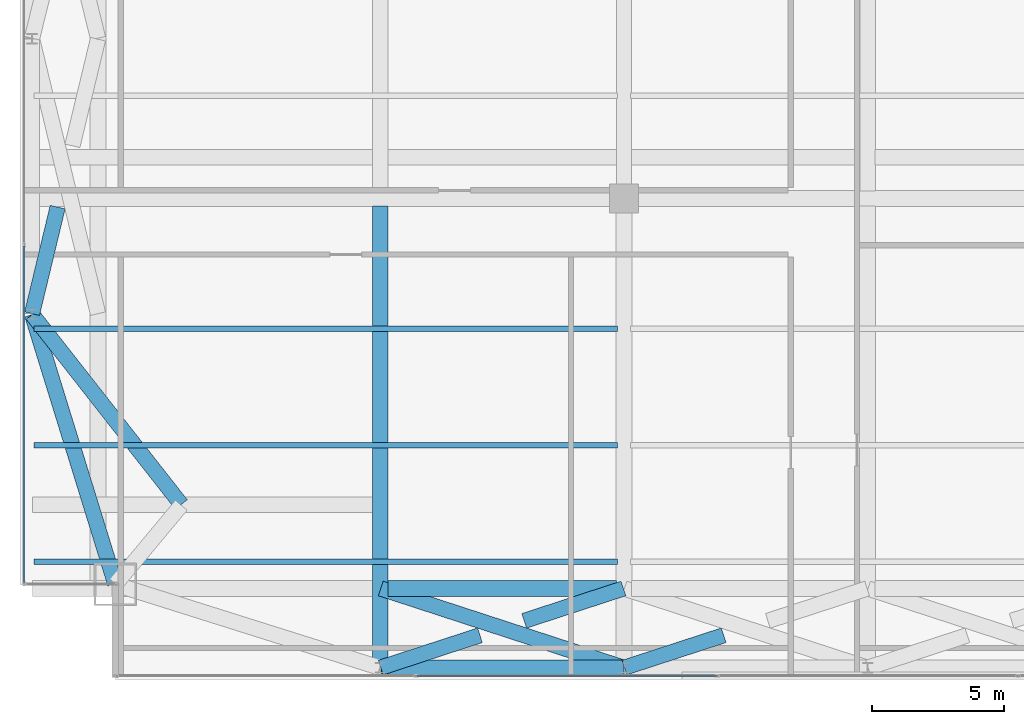
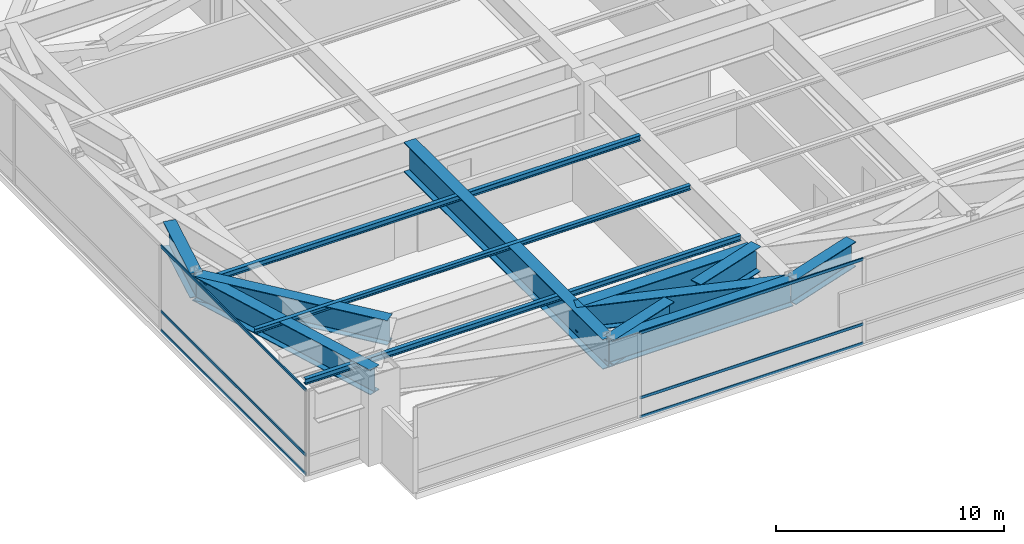
# One storey, part 5 of 30: 13 beams, 6 members, 2 elements without a shape of their own.
"""IFC4 building model written with IfcOpenShell, lengths in metres."""

from ifc_helpers import new_model, si_unit, direction, frame, origin, origin_2d, place, context, subcontext, project, spatial, hollow_rectangle, i_section, extrude, source, transform, mapped, material, layer, layer_set, material_profile, profile_set, type_object, type_shapes, element, aggregate, save


model = new_model("IFC4")

# Units and contexts
model_context = context("Model", 3, precision=1e-05, world=origin(), true_north=direction((0.0, 1.0)))
body_context = subcontext(model_context, "Body", "Model", "MODEL_VIEW")
ifc_project = project(units=[si_unit("LENGTHUNIT", "METRE"), si_unit("AREAUNIT", "SQUARE_METRE"), si_unit("VOLUMEUNIT", "CUBIC_METRE"), si_unit("PLANEANGLEUNIT", "RADIAN"), si_unit("MASSUNIT", "GRAM", prefix="KILO")], contexts=[model_context])

# Site, building, storey
site_placement = place(None, origin())
site = spatial("IfcSite", under=ifc_project, at=site_placement, CompositionType="ELEMENT")
building_placement = place(site_placement, origin())
building = spatial("IfcBuilding", under=site, at=building_placement, Name="Varnel Quay Broadcast Tower", CompositionType="ELEMENT")
storey_placement = place(building_placement, frame((0.0, 0.0, 82.199951171875)))
storey = spatial("IfcBuildingStorey", under=building, at=storey_placement, Name="L19", CompositionType="ELEMENT", Elevation=82.199951171875)

# Beams
ifc_material_1 = material(Name="Structural Steel CSA G40.21 350WT", Category="steel")
ifc_material_profile_1 = material_profile(ifc_material_1, i_section(OverallWidth=0.580078125, OverallDepth=1.330078125, WebThickness=0.02197265625, FlangeThickness=0.0380859375, FilletRadius=0.02001953125, at=origin_2d()), Name="WWF1330X535")
ifc_profile_set_1 = profile_set([ifc_material_profile_1], Name="Structural Steel CSA G40.21 350WT")
beam_type_1 = type_object("IfcBeamType", Name="Girder_WWF1330X535", PredefinedType="BEAM", material=ifc_profile_set_1)
shared_shape_1 = source(origin(), body_context, "Body", "SweptSolid", [
    extrude(i_section(OverallWidth=0.580078125, OverallDepth=1.330078125, WebThickness=0.02197265625, FlangeThickness=0.0380859375, FilletRadius=0.02001953125, at=origin_2d()), origin(), (0.0, 0.0, 1.0), 10.635498046875),
])
beam_1_placement = place(storey_placement, frame((5.593994140625, 4.819091796875, 3.885009765625), z_axis=(-0.295069676324, 0.955475738108, 0.0), x_axis=(-0.955475738108, -0.295069676324, 0.0)))
element("IfcBeam", 1, at=beam_1_placement, inside=storey, type_object=beam_type_1, Name="L19 West Transfer Spine MC-SW-TC-W1", PredefinedType="BEAM", context=body_context, shape_type="MappedRepresentation", body=[
    mapped(shared_shape_1, transform((0.0, 0.0, 0.0), x_axis=(1.0, 0.0, 0.0), y_axis=(0.0, 1.0, 0.0), z_axis=(0.0, 0.0, 1.0), scale=1.0)),
])
shared_shape_2 = source(origin(), body_context, "Body", "SweptSolid", [
    extrude(i_section(OverallWidth=0.580078125, OverallDepth=1.330078125, WebThickness=0.02197265625, FlangeThickness=0.0380859375, FilletRadius=0.02001953125, at=origin_2d()), origin(), (0.0, 0.0, 1.0), 9.159912109375),
])
beam_2_placement = place(storey_placement, frame((15.6201171875, 1.64990234375, 3.885009765625), z_axis=(1.0, 0.0, 0.0), x_axis=(0.0, 1.0, 0.0)))
element("IfcBeam", 2, at=beam_2_placement, inside=storey, type_object=beam_type_1, Name="L19 Perimeter Transfer Spine TC-S1-TC-S2", PredefinedType="BEAM", context=body_context, shape_type="MappedRepresentation", body=[
    mapped(shared_shape_2, transform((0.0, 0.0, 0.0), x_axis=(1.0, 0.0, 0.0), y_axis=(0.0, 1.0, 0.0), z_axis=(0.0, 0.0, 1.0), scale=1.0)),
])
ifc_material_profile_2 = material_profile(ifc_material_1, i_section(OverallWidth=0.60009765625, OverallDepth=1.60009765625, WebThickness=0.02392578125, FlangeThickness=0.0419921875, FilletRadius=0.02197265625, at=origin_2d()), Name="WWF1600X620")
ifc_profile_set_2 = profile_set([ifc_material_profile_2], Name="Structural Steel CSA G40.21 350WT")
beam_type_2 = type_object("IfcBeamType", Name="Girder_WWF1600X620", PredefinedType="BEAM", material=ifc_profile_set_2)
shared_shape_3 = source(origin(), body_context, "Body", "SweptSolid", [
    extrude(i_section(OverallWidth=0.60009765625, OverallDepth=1.60009765625, WebThickness=0.02392578125, FlangeThickness=0.0419921875, FilletRadius=0.02197265625, at=origin_2d()), origin(), (0.0, 0.0, 1.0), 17.4150390625),
])
beam_3_placement = place(storey_placement, frame((15.60009765625, 1.669921875, 3.75), z_axis=(0.0, 1.0, 0.0), x_axis=(-1.0, 0.0, 0.0)))
element("IfcBeam", 3, at=beam_3_placement, inside=storey, type_object=beam_type_2, Name="L19 N-S Transfer Girder 1A", PredefinedType="BEAM", context=body_context, shape_type="MappedRepresentation", body=[
    mapped(shared_shape_3, transform((0.0, 0.0, 0.0), x_axis=(1.0, 0.0, 0.0), y_axis=(0.0, 1.0, 0.0), z_axis=(0.0, 0.0, 1.0), scale=1.0)),
])
shared_shape_4 = source(origin(), body_context, "Body", "SweptSolid", [
    extrude(i_section(OverallWidth=0.60009765625, OverallDepth=1.60009765625, WebThickness=0.02392578125, FlangeThickness=0.0419921875, FilletRadius=0.02197265625, at=origin_2d()), origin(), (0.0, 0.0, 1.0), 8.6298828125),
])
type_shapes(beam_type_2, [shared_shape_3, shared_shape_4])
beam_4_placement = place(storey_placement, frame((15.885009765625, 4.64990234375, 3.75), z_axis=(1.0, 0.0, 0.0), x_axis=(0.0, 1.0, 0.0)))
element("IfcBeam", 4, at=beam_4_placement, inside=storey, type_object=beam_type_2, Name="L19 Setback South Transfer Header 2", PredefinedType="BEAM", context=body_context, shape_type="MappedRepresentation", body=[
    mapped(shared_shape_4, transform((0.0, 0.0, 0.0), x_axis=(1.0, 0.0, 0.0), y_axis=(0.0, 1.0, 0.0), z_axis=(0.0, 0.0, 1.0), scale=1.0)),
])
shared_shape_5 = source(origin(), body_context, "Body", "SweptSolid", [
    extrude(i_section(OverallWidth=0.580078125, OverallDepth=1.330078125, WebThickness=0.02197265625, FlangeThickness=0.0380859375, FilletRadius=0.02001953125, at=origin_2d()), origin(), (0.0, 0.0, 1.0), 9.1123046875),
])
beam_5_placement = place(storey_placement, frame((2.46240234375, 14.984375, 3.885009765625), z_axis=(0.617325641377, -0.786707730036, 0.0), x_axis=(0.786707730036, 0.617325641377, 0.0)))
element("IfcBeam", 5, at=beam_5_placement, inside=storey, type_object=beam_type_1, Name="L19 Nodal Transfer Tie MC-SW-TC-W1", PredefinedType="BEAM", context=body_context, shape_type="MappedRepresentation", body=[
    mapped(shared_shape_5, transform((0.0, 0.0, 0.0), x_axis=(1.0, 0.0, 0.0), y_axis=(0.0, 1.0, 0.0), z_axis=(0.0, 0.0, 1.0), scale=1.0)),
])
shared_shape_6 = source(origin(), body_context, "Body", "SweptSolid", [
    extrude(i_section(OverallWidth=0.580078125, OverallDepth=1.330078125, WebThickness=0.02197265625, FlangeThickness=0.0380859375, FilletRadius=0.02001953125, at=origin_2d()), origin(), (0.0, 0.0, 1.0), 9.636962890625),
])
beam_6_placement = place(storey_placement, frame((24.781005859375, 1.65625, 3.885009765625), z_axis=(-0.95073276134, 0.310011639323, 0.0), x_axis=(-0.310011639323, -0.95073276134, 0.0)))
element("IfcBeam", 6, at=beam_6_placement, inside=storey, type_object=beam_type_1, Name="L19 X-Braced Transfer Tie TC-S1-TC-S2", PredefinedType="BEAM", context=body_context, shape_type="MappedRepresentation", body=[
    mapped(shared_shape_6, transform((0.0, 0.0, 0.0), x_axis=(1.0, 0.0, 0.0), y_axis=(0.0, 1.0, 0.0), z_axis=(0.0, 0.0, 1.0), scale=1.0)),
])
shared_shape_7 = source(origin(), body_context, "Body", "SweptSolid", [
    extrude(i_section(OverallWidth=0.580078125, OverallDepth=1.330078125, WebThickness=0.02197265625, FlangeThickness=0.0380859375, FilletRadius=0.02001953125, at=origin_2d()), origin(), (0.0, 0.0, 1.0), 3.939453125),
])
for number, where, z_axis, x_axis, name in (
    (7, (15.618896484375, 1.65625, 3.885009765625), (0.950738972318, 0.309992591065, 0.0), (-0.309992591065, 0.950738972318, 0.0), "L19 X-Braced Transfer Tie TC-S2-TC-S1 Part 1"),
    (8, (21.03564453125, 3.422607421875, 3.885009765625), (0.950738972318, 0.309992591065, 0.0), (-0.309992591065, 0.950738972318, 0.0), "L19 X-Braced Transfer Tie TC-S2-TC-S1 Part 2"),
):
    element("IfcBeam", number, at=place(storey_placement, frame(where, z_axis=z_axis, x_axis=x_axis)), inside=storey, type_object=beam_type_1, Name=name, PredefinedType="BEAM", context=body_context, shape_type="MappedRepresentation", body=[
        mapped(shared_shape_7, transform((0.0, 0.0, 0.0), x_axis=(1.0, 0.0, 0.0), y_axis=(0.0, 1.0, 0.0), z_axis=(0.0, 0.0, 1.0), scale=1.0)),
    ])
shared_shape_8 = source(origin(), body_context, "Body", "SweptSolid", [
    extrude(i_section(OverallWidth=0.580078125, OverallDepth=1.330078125, WebThickness=0.02197265625, FlangeThickness=0.0380859375, FilletRadius=0.02001953125, at=origin_2d()), origin(), (0.0, 0.0, 1.0), 3.939208984375),
])
beam_7_placement = place(storey_placement, frame((24.819091796875, 1.65625, 3.885009765625), z_axis=(0.950733016401, 0.310010857108, 0.0), x_axis=(-0.310010857108, 0.950733016401, 0.0)))
element("IfcBeam", 9, at=beam_7_placement, inside=storey, type_object=beam_type_1, Name="L19 X-Braced Transfer Tie TC-S3-TC-S2 Part 1", PredefinedType="BEAM", context=body_context, shape_type="MappedRepresentation", body=[
    mapped(shared_shape_8, transform((0.0, 0.0, 0.0), x_axis=(1.0, 0.0, 0.0), y_axis=(0.0, 1.0, 0.0), z_axis=(0.0, 0.0, 1.0), scale=1.0)),
])
shared_shape_9 = source(origin(), body_context, "Body", "SweptSolid", [
    extrude(i_section(OverallWidth=0.580078125, OverallDepth=1.330078125, WebThickness=0.02197265625, FlangeThickness=0.0380859375, FilletRadius=0.02001953125, at=origin_2d()), origin(), (0.0, 0.0, 1.0), 4.137451171875),
])
type_shapes(beam_type_1, [shared_shape_1, shared_shape_2, shared_shape_5, shared_shape_6, shared_shape_7, shared_shape_8, shared_shape_9])
beam_8_placement = place(storey_placement, frame((2.45458984375, 15.019287109375, 3.885009765625), z_axis=(0.233723314168, 0.972303148413, 0.0), x_axis=(-0.972303148413, 0.233723314168, 0.0)))
element("IfcBeam", 10, at=beam_8_placement, inside=storey, type_object=beam_type_1, Name="L19 X-Braced Transfer Tie TC-W2-TC-W1 Part 1", PredefinedType="BEAM", context=body_context, shape_type="MappedRepresentation", body=[
    mapped(shared_shape_9, transform((0.0, 0.0, 0.0), x_axis=(1.0, 0.0, 0.0), y_axis=(0.0, 1.0, 0.0), z_axis=(0.0, 0.0, 1.0), scale=1.0)),
])
ifc_material_2 = material(Name="Structural Steel CSA G40.21 350W", Category="steel")
ifc_material_profile_3 = material_profile(ifc_material_2, i_section(OverallWidth=0.202880859375, OverallDepth=0.302978515625, WebThickness=0.007568359375, FlangeThickness=0.01318359375, FilletRadius=0.011962890625, at=origin_2d()), Name="W310X60")
ifc_profile_set_3 = profile_set([ifc_material_profile_3], Name="Structural Steel CSA G40.21 350W")
beam_type_3 = type_object("IfcBeamType", Name="Beam_W310X60", PredefinedType="JOIST", material=ifc_profile_set_3)
shared_shape_10 = source(origin(), body_context, "Body", "SweptSolid", [
    extrude(i_section(OverallWidth=0.202880859375, OverallDepth=0.302978515625, WebThickness=0.007568359375, FlangeThickness=0.01318359375, FilletRadius=0.011962890625, at=origin_2d()), origin(), (0.0, 0.0, 1.0), 22.01953125),
])
type_shapes(beam_type_3, [shared_shape_10])
for number, where, z_axis, x_axis, name in (
    (11, (2.535400390625, 5.64990234375, 4.3984375), (1.0, 0.0, 0.0), (0.0, 1.0, 0.0), "L19 West Floor Joist 1"),
    (12, (2.535400390625, 14.449951171875, 4.3984375), (1.0, 0.0, 0.0), (0.0, 1.0, 0.0), "L19 West Floor Joist 3"),
):
    element("IfcBeam", number, at=place(storey_placement, frame(where, z_axis=z_axis, x_axis=x_axis)), inside=storey, type_object=beam_type_3, Name=name, PredefinedType="JOIST", context=body_context, shape_type="MappedRepresentation", body=[
        mapped(shared_shape_10, transform((0.0, 0.0, 0.0), x_axis=(1.0, 0.0, 0.0), y_axis=(0.0, 1.0, 0.0), z_axis=(0.0, 0.0, 1.0), scale=1.0)),
    ])
ifc_material_profile_4 = material_profile(ifc_material_2, i_section(OverallWidth=0.201904296875, OverallDepth=0.2470703125, WebThickness=0.00732421875, FlangeThickness=0.010986328125, FilletRadius=0.010986328125, at=origin_2d()), Name="W250X49")
ifc_profile_set_4 = profile_set([ifc_material_profile_4], Name="Structural Steel CSA G40.21 350W")
beam_type_4 = type_object("IfcBeamType", Name="Beam_W250X49", PredefinedType="JOIST", material=ifc_profile_set_4)
shared_shape_11 = source(origin(), body_context, "Body", "SweptSolid", [
    extrude(i_section(OverallWidth=0.201904296875, OverallDepth=0.2470703125, WebThickness=0.00732421875, FlangeThickness=0.010986328125, FilletRadius=0.010986328125, at=origin_2d()), origin(), (0.0, 0.0, 1.0), 22.01953125),
])
type_shapes(beam_type_4, [shared_shape_11])
beam_9_placement = place(storey_placement, frame((2.535400390625, 10.050048828125, 4.426513671875), z_axis=(1.0, 0.0, 0.0), x_axis=(0.0, 1.0, 0.0)))
element("IfcBeam", 13, at=beam_9_placement, inside=storey, type_object=beam_type_4, Name="L19 West Floor Joist 2", PredefinedType="JOIST", context=body_context, shape_type="MappedRepresentation", body=[
    mapped(shared_shape_11, transform((0.0, 0.0, 0.0), x_axis=(1.0, 0.0, 0.0), y_axis=(0.0, 1.0, 0.0), z_axis=(0.0, 0.0, 1.0), scale=1.0)),
])

# Curtain wall, members
ifc_material_3 = material(Name="Anodised Bronze Aluminium 6063-T6", Category="aluminium")
ifc_layer = layer(ifc_material_3, 0.18994140625, Name="Anodised Bronze Aluminium 6063-T6")
ifc_layer_set = layer_set([ifc_layer], Name="Anodised Bronze Aluminium 6063-T6")
curtain_wall_type = type_object("IfcCurtainWallType", Name="CW_LowerTower", PredefinedType="NOTDEFINED", material=ifc_layer_set)
curtain_wall_1_placement = place(storey_placement, origin())
curtain_wall_1 = element("IfcCurtainWall", 14, at=curtain_wall_1_placement, inside=storey, type_object=curtain_wall_type, Name="L19 West Unitised Curtain Wall", PredefinedType="NOTDEFINED")
ifc_material_profile_5 = material_profile(ifc_material_3, hollow_rectangle(XDim=0.06005859375, YDim=0.14501953125, WallThickness=0.00341796875, at=origin_2d()), Name="ALU60X145X3.5")
ifc_profile_set_5 = profile_set([ifc_material_profile_5], Name="Anodised Bronze Aluminium 6063-T6")
member_type = type_object("IfcMemberType", Name="Tran_CWS-02", PredefinedType="USERDEFINED", material=ifc_profile_set_5)
shared_shape_12 = source(origin(), body_context, "Body", "SweptSolid", [
    extrude(hollow_rectangle(XDim=0.06005859375, YDim=0.14501953125, WallThickness=0.00341796875, at=origin_2d()), origin(), (0.0, 0.0, 1.0), 12.69482421875),
])
member_1_placement = place(storey_placement, frame((2.14990234375, 4.8701171875, 0.030029296875), z_axis=(0.0, 1.0, 0.0), x_axis=(-1.0, 0.0, 0.0)))
member_1 = element("IfcMember", 15, at=member_1_placement, type_object=member_type, Name="CWS-02 transom 1.1", ObjectType="TRANSOM", PredefinedType="USERDEFINED", context=body_context, shape_type="MappedRepresentation", body=[
    mapped(shared_shape_12, transform((0.0, 0.0, 0.0), x_axis=(1.0, 0.0, 0.0), y_axis=(0.0, 1.0, 0.0), z_axis=(0.0, 0.0, 1.0), scale=1.0)),
])
member_2_placement = place(storey_placement, frame((2.14990234375, 4.8701171875, 1.050048828125), z_axis=(0.0, 1.0, 0.0), x_axis=(-1.0, 0.0, 0.0)))
member_2 = element("IfcMember", 16, at=member_2_placement, type_object=member_type, Name="CWS-02 transom 1.2", ObjectType="TRANSOM", PredefinedType="USERDEFINED", context=body_context, shape_type="MappedRepresentation", body=[
    mapped(shared_shape_12, transform((0.0, 0.0, 0.0), x_axis=(1.0, 0.0, 0.0), y_axis=(0.0, 1.0, 0.0), z_axis=(0.0, 0.0, 1.0), scale=1.0)),
])
member_3_placement = place(storey_placement, frame((2.14990234375, 4.8701171875, 4.52001953125), z_axis=(0.0, 1.0, 0.0), x_axis=(-1.0, 0.0, 0.0)))
member_3 = element("IfcMember", 17, at=member_3_placement, type_object=member_type, Name="CWS-02 transom 1.3", ObjectType="TRANSOM", PredefinedType="USERDEFINED", context=body_context, shape_type="MappedRepresentation", body=[
    mapped(shared_shape_12, transform((0.0, 0.0, 0.0), x_axis=(1.0, 0.0, 0.0), y_axis=(0.0, 1.0, 0.0), z_axis=(0.0, 0.0, 1.0), scale=1.0)),
])
aggregate(curtain_wall_1, [member_1, member_2, member_3])

curtain_wall_2_placement = place(storey_placement, origin())
curtain_wall_2 = element("IfcCurtainWall", 18, at=curtain_wall_2_placement, inside=storey, type_object=curtain_wall_type, Name="L19 South Unitised Curtain Wall 1", PredefinedType="NOTDEFINED")
shared_shape_13 = source(origin(), body_context, "Body", "SweptSolid", [
    extrude(hollow_rectangle(XDim=0.06005859375, YDim=0.14501953125, WallThickness=0.00341796875, at=origin_2d()), origin(), (0.0, 0.0, 1.0), 11.289794921875),
])
type_shapes(member_type, [shared_shape_12, shared_shape_13])
member_4_placement = place(storey_placement, frame((16.9951171875, 1.35009765625, 0.030029296875), z_axis=(1.0, 0.0, 0.0), x_axis=(0.0, 1.0, 0.0)))
member_4 = element("IfcMember", 19, at=member_4_placement, type_object=member_type, Name="CWS-02 transom 2.1", ObjectType="TRANSOM", PredefinedType="USERDEFINED", context=body_context, shape_type="MappedRepresentation", body=[
    mapped(shared_shape_13, transform((0.0, 0.0, 0.0), x_axis=(1.0, 0.0, 0.0), y_axis=(0.0, 1.0, 0.0), z_axis=(0.0, 0.0, 1.0), scale=1.0)),
])
member_5_placement = place(storey_placement, frame((16.9951171875, 1.35009765625, 1.050048828125), z_axis=(1.0, 0.0, 0.0), x_axis=(0.0, 1.0, 0.0)))
member_5 = element("IfcMember", 20, at=member_5_placement, type_object=member_type, Name="CWS-02 transom 2.2", ObjectType="TRANSOM", PredefinedType="USERDEFINED", context=body_context, shape_type="MappedRepresentation", body=[
    mapped(shared_shape_13, transform((0.0, 0.0, 0.0), x_axis=(1.0, 0.0, 0.0), y_axis=(0.0, 1.0, 0.0), z_axis=(0.0, 0.0, 1.0), scale=1.0)),
])
member_6_placement = place(storey_placement, frame((16.9951171875, 1.35009765625, 4.52001953125), z_axis=(1.0, 0.0, 0.0), x_axis=(0.0, 1.0, 0.0)))
member_6 = element("IfcMember", 21, at=member_6_placement, type_object=member_type, Name="CWS-02 transom 2.3", ObjectType="TRANSOM", PredefinedType="USERDEFINED", context=body_context, shape_type="MappedRepresentation", body=[
    mapped(shared_shape_13, transform((0.0, 0.0, 0.0), x_axis=(1.0, 0.0, 0.0), y_axis=(0.0, 1.0, 0.0), z_axis=(0.0, 0.0, 1.0), scale=1.0)),
])
aggregate(curtain_wall_2, [member_4, member_5, member_6])

save(model, "model.ifc")
